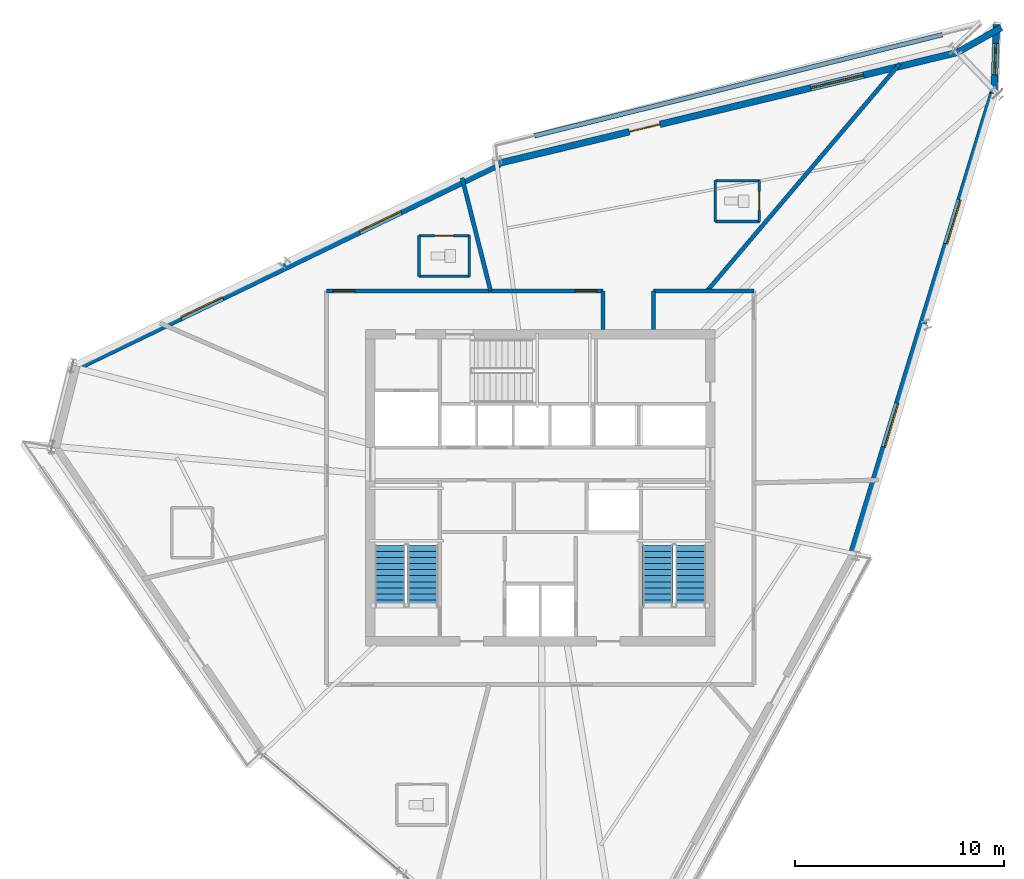
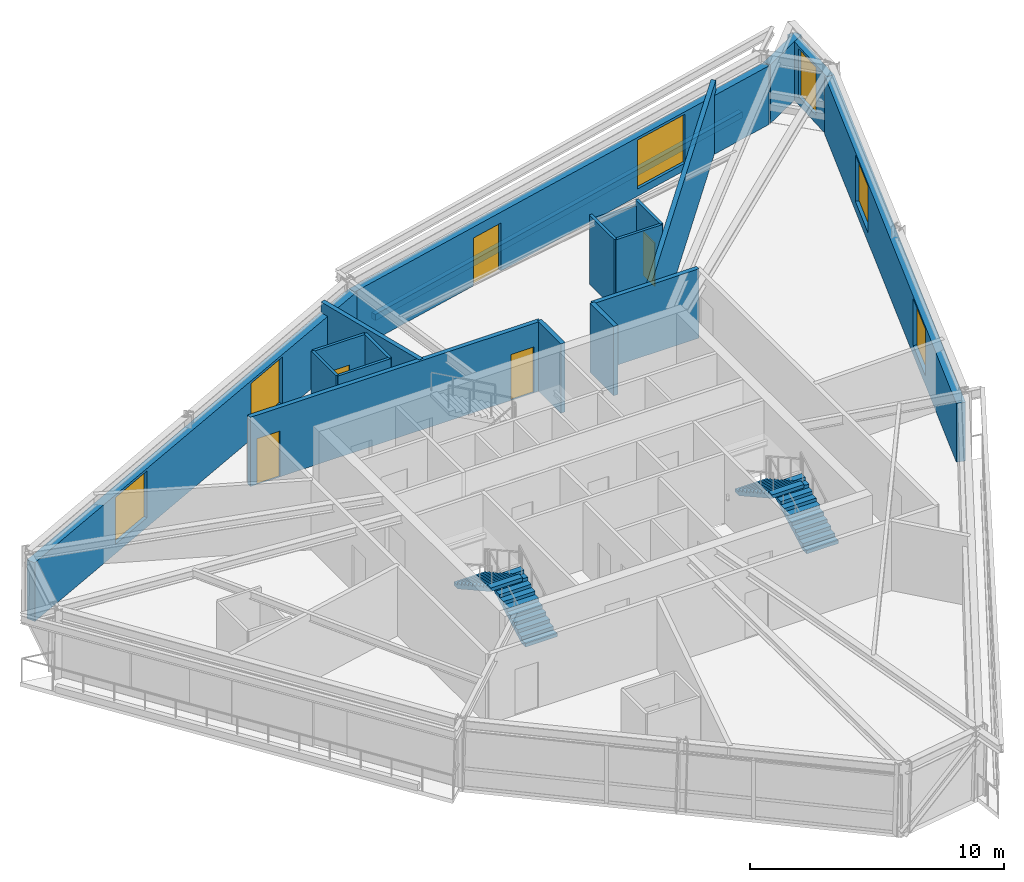
# One storey, part 10 of 15: 20 walls, 6 windows, 5 doors, 4 stair flights, 11 openings, 2 elements without a shape of their own.
"""IFC4 building model written with IfcOpenShell, lengths in metres."""

from ifc_helpers import new_model, si_unit, direction, frame, frame_2d, origin, place, context, subcontext, project, spatial, polyline, rectangle, outline, extrude, source, transform, mapped, material, layer, layer_set, type_object, type_shapes, element, fill, aggregate, save


model = new_model("IFC4")

# Units and contexts
model_context = context("Model", 3, precision=1e-05, world=origin(), true_north=direction((0.0, 1.0)))
body_context = subcontext(model_context, "Body", "Model", "MODEL_VIEW")
ifc_project = project(units=[si_unit("LENGTHUNIT", "METRE"), si_unit("AREAUNIT", "SQUARE_METRE"), si_unit("VOLUMEUNIT", "CUBIC_METRE"), si_unit("PLANEANGLEUNIT", "RADIAN"), si_unit("MASSUNIT", "GRAM", prefix="KILO")], contexts=[model_context])

# Site, building, storey
site_placement = place(None, origin())
site = spatial("IfcSite", under=ifc_project, at=site_placement, CompositionType="ELEMENT")
building_placement = place(site_placement, origin())
building = spatial("IfcBuilding", under=site, at=building_placement, Name="Olszyna Solenne Hotel", CompositionType="ELEMENT")
storey_placement = place(building_placement, frame((0.0, 0.0, 213.14990234375)))
storey = spatial("IfcBuildingStorey", under=building, at=storey_placement, Name="L56", CompositionType="ELEMENT", Elevation=213.14990234375)

# Wall, openings, door, window
ifc_material_1 = material(Name="Precast concrete C45/55", Category="concrete")
ifc_layer_1 = layer(ifc_material_1, 0.320068359375, Name="Precast concrete C45/55")
ifc_layer_set_1 = layer_set([ifc_layer_1], Name="Precast concrete C45/55")
wall_type_1 = type_object("IfcWallType", Name="WL-EX320", PredefinedType="SOLIDWALL", material=ifc_layer_set_1)
wall_1_placement = place(storey_placement, frame((35.980712890625, 42.079345703125, 0.0), z_axis=(0.0, 0.0, 1.0), x_axis=(0.97201999071, 0.234898143159, 0.0)))
wall_1 = element("IfcWall", 1, at=wall_1_placement, inside=storey, type_object=wall_type_1, Name="Exterior terracotta-precast frame wall WL-EX320 EW-L56-07", PredefinedType="SOLIDWALL", context=body_context, shape_type="SweptSolid", body=[
    extrude(rectangle(XDim=22.51123046875, YDim=0.320068359375, at=frame_2d((11.255615234375, 0.0))), origin(), (0.0, 0.0, 1.0), 2.822021484375),
])
opening_1_placement = place(wall_1_placement, frame((6.4541015625, 0.0, 0.0)))
opening_1 = element("IfcOpeningElement", 2, at=opening_1_placement, cuts=wall_1, Name="Opening LDG-L56-1", PredefinedType="OPENING", context=body_context, shape_type="SweptSolid", body=[
    extrude(rectangle(XDim=1.5, YDim=2.300048828125, at=frame_2d((0.75, 1.14990234375))), frame((0.0, 0.169921875, 0.0), z_axis=(0.0, -1.0, 0.0), x_axis=(1.0, 0.0, 0.0)), (0.0, 0.0, 1.0), 0.340087890625),
])
opening_2_placement = place(wall_1_placement, frame((15.35791015625, 0.0, 0.35205078125)))
opening_2 = element("IfcOpeningElement", 3, at=opening_2_placement, cuts=wall_1, Name="Opening WN-L56-361", PredefinedType="OPENING", context=body_context, shape_type="SweptSolid", body=[
    extrude(rectangle(XDim=2.60009765625, YDim=2.35009765625, at=frame_2d((1.300048828125, 1.175048828125))), frame((0.0, 0.169921875, 0.0), z_axis=(0.0, -1.0, 0.0), x_axis=(1.0, 0.0, 0.0)), (0.0, 0.0, 1.0), 0.340087890625),
])
ifc_material_2 = material(Name="Anodised bronze aluminium", Category="aluminium")
door_type_1 = type_object("IfcDoorType", Name="DR-LG2", OperationType="DOUBLE_DOOR_SINGLE_SWING", PredefinedType="DOOR", material=ifc_material_2)
shared_shape_1 = source(origin(), body_context, "Body", "SweptSolid", [
    extrude(rectangle(XDim=1.5, YDim=2.300048828125, at=frame_2d((0.75, 1.14990234375))), frame((0.0, 0.02490234375, 0.0), z_axis=(0.0, -1.0, 0.0), x_axis=(1.0, 0.0, 0.0)), (0.0, 0.0, 1.0), 0.050048828125),
])
type_shapes(door_type_1, [shared_shape_1])
door_1_placement = place(opening_1_placement, origin())
door_1 = element("IfcDoor", 4, at=door_1_placement, inside=storey, type_object=door_type_1, Name="Exterior loggia balcony door DR-LG2 LDG-L56-1", OperationType="DOUBLE_DOOR_SINGLE_SWING", OverallHeight=2.300048828125, OverallWidth=1.5, PredefinedType="DOOR", context=body_context, shape_type="MappedRepresentation", body=[
    mapped(shared_shape_1, transform((0.0, 0.0, 0.0), x_axis=(1.0, 0.0, 0.0), y_axis=(0.0, 1.0, 0.0), z_axis=(0.0, 0.0, 1.0), scale=1.0)),
])
fill(opening_1, door_1)
ifc_material_3 = material(Name="Low-E triple glazing", Category="glass")
window_type_1 = type_object("IfcWindowType", Name="WN-ST1", PartitioningType="SINGLE_PANEL", PredefinedType="WINDOW", material=ifc_material_3)
shared_shape_2 = source(origin(), body_context, "Body", "SweptSolid", [
    extrude(rectangle(XDim=2.60009765625, YDim=2.35009765625, at=frame_2d((1.300048828125, 1.175048828125))), frame((0.0, 0.030029296875, 0.0), z_axis=(0.0, -1.0, 0.0), x_axis=(1.0, 0.0, 0.0)), (0.0, 0.0, 1.0), 0.06005859375),
])
type_shapes(window_type_1, [shared_shape_2])
window_1_placement = place(opening_2_placement, origin())
window_1 = element("IfcWindow", 5, at=window_1_placement, inside=storey, type_object=window_type_1, Name="Loggia room window WN-ST1 WN-L56-361", OverallHeight=2.35009765625, OverallWidth=2.60009765625, PartitioningType="SINGLE_PANEL", PredefinedType="WINDOW", context=body_context, shape_type="MappedRepresentation", body=[
    mapped(shared_shape_2, transform((0.0, 0.0, 0.0), x_axis=(1.0, 0.0, 0.0), y_axis=(0.0, 1.0, 0.0), z_axis=(0.0, 0.0, 1.0), scale=1.0)),
])
fill(opening_2, window_1)

# Wall
wall_2_placement = place(storey_placement, frame((57.90283203125, 47.383056640625, 0.0), z_axis=(0.0, 0.0, 1.0), x_axis=(0.871995106702, 0.489514590066, 0.0)))
element("IfcWall", 6, at=wall_2_placement, inside=storey, type_object=wall_type_1, Name="Exterior terracotta-precast frame wall WL-EX320 EW-L56-08", PredefinedType="SOLIDWALL", context=body_context, shape_type="SweptSolid", body=[
    extrude(rectangle(XDim=2.42236328125, YDim=0.320068359375, at=frame_2d((1.211181640625, 0.0))), origin(), (0.0, 0.0, 1.0), 2.822021484375),
])

# Wall, opening, window
wall_3_placement = place(storey_placement, frame((59.777099609375, 48.714111328125, 0.0), z_axis=(0.0, 0.0, 1.0), x_axis=(-0.035190499803, -0.999380622548, 0.0)))
wall_3 = element("IfcWall", 7, at=wall_3_placement, inside=storey, type_object=wall_type_1, Name="Exterior terracotta-precast frame wall WL-EX320 EW-L56-09", PredefinedType="SOLIDWALL", context=body_context, shape_type="SweptSolid", body=[
    extrude(rectangle(XDim=3.30224609375, YDim=0.320068359375, at=frame_2d((1.651123046875, 0.0))), origin(), (0.0, 0.0, 1.0), 2.822021484375),
])
opening_3_placement = place(wall_3_placement, frame((0.90087890625, 0.0, 0.402099609375)))
opening_3 = element("IfcOpeningElement", 8, at=opening_3_placement, cuts=wall_3, Name="Opening WN-L56-362", PredefinedType="OPENING", context=body_context, shape_type="SweptSolid", body=[
    extrude(rectangle(XDim=1.5, YDim=2.300048828125, at=frame_2d((0.75, 1.14990234375))), frame((0.0, 0.169921875, 0.0), z_axis=(0.0, -1.0, 0.0), x_axis=(1.0, 0.0, 0.0)), (0.0, 0.0, 1.0), 0.340087890625),
])
window_type_2 = type_object("IfcWindowType", Name="WN-CH1", PartitioningType="SINGLE_PANEL", PredefinedType="WINDOW", material=ifc_material_3)
shared_shape_3 = source(origin(), body_context, "Body", "SweptSolid", [
    extrude(rectangle(XDim=1.5, YDim=2.300048828125, at=frame_2d((0.75, 1.14990234375))), frame((0.0, 0.030029296875, 0.0), z_axis=(0.0, -1.0, 0.0), x_axis=(1.0, 0.0, 0.0)), (0.0, 0.0, 1.0), 0.06005859375),
])
type_shapes(window_type_2, [shared_shape_3])
window_2_placement = place(opening_3_placement, origin())
window_2 = element("IfcWindow", 9, at=window_2_placement, inside=storey, type_object=window_type_2, Name="Exterior facade window WN-CH1 WN-L56-362", OverallHeight=2.300048828125, OverallWidth=1.5, PartitioningType="SINGLE_PANEL", PredefinedType="WINDOW", context=body_context, shape_type="MappedRepresentation", body=[
    mapped(shared_shape_3, transform((0.0, 0.0, 0.0), x_axis=(1.0, 0.0, 0.0), y_axis=(0.0, 1.0, 0.0), z_axis=(0.0, 0.0, 1.0), scale=1.0)),
])
fill(opening_3, window_2)

# Wall, openings, windows
ifc_material_4 = material(Name="Terracotta cladding on precast concrete C45/55", Category="masonry")
ifc_layer_2 = layer(ifc_material_4, 0.3798828125, Name="Terracotta cladding on precast concrete C45/55")
ifc_layer_set_2 = layer_set([ifc_layer_2], Name="Terracotta cladding on precast concrete C45/55")
wall_type_2 = type_object("IfcWallType", Name="WL-EX380", PredefinedType="SOLIDWALL", material=ifc_layer_set_2)
wall_4_placement = place(storey_placement, frame((15.7451171875, 32.293701171875, 0.0), z_axis=(0.0, 0.0, 1.0), x_axis=(0.900909174289, 0.434007672377, 0.0)))
wall_4 = element("IfcWall", 10, at=wall_4_placement, inside=storey, type_object=wall_type_2, Name="Exterior terracotta-precast frame wall WL-EX380 EW-L56-06", PredefinedType="SOLIDWALL", context=body_context, shape_type="SweptSolid", body=[
    extrude(rectangle(XDim=22.51123046875, YDim=0.3798828125, at=frame_2d((11.255615234375, 0.0))), origin(), (0.0, 0.0, 1.0), 2.822021484375),
])
opening_4_placement = place(wall_4_placement, frame((5.653076171875, 0.0, 0.451904296875)))
opening_4 = element("IfcOpeningElement", 11, at=opening_4_placement, cuts=wall_4, Name="Opening WN-L56-359", PredefinedType="OPENING", context=body_context, shape_type="SweptSolid", body=[
    extrude(rectangle(XDim=2.199951171875, YDim=2.25, at=frame_2d((1.10009765625, 1.125))), frame((0.0, 0.199951171875, 0.0), z_axis=(0.0, -1.0, 0.0), x_axis=(1.0, 0.0, 0.0)), (0.0, 0.0, 1.0), 0.39990234375),
])
opening_5_placement = place(wall_4_placement, frame((15.10791015625, 0.0, 0.451904296875)))
opening_5 = element("IfcOpeningElement", 12, at=opening_5_placement, cuts=wall_4, Name="Opening WN-L56-360", PredefinedType="OPENING", context=body_context, shape_type="SweptSolid", body=[
    extrude(rectangle(XDim=2.199951171875, YDim=2.25, at=frame_2d((1.10009765625, 1.125))), frame((0.0, 0.199951171875, 0.0), z_axis=(0.0, -1.0, 0.0), x_axis=(1.0, 0.0, 0.0)), (0.0, 0.0, 1.0), 0.39990234375),
])
window_type_3 = type_object("IfcWindowType", Name="WN-HT2", PartitioningType="SINGLE_PANEL", PredefinedType="WINDOW", material=ifc_material_3)
shared_shape_4 = source(origin(), body_context, "Body", "SweptSolid", [
    extrude(rectangle(XDim=2.199951171875, YDim=2.25, at=frame_2d((1.10009765625, 1.125))), frame((0.0, 0.030029296875, 0.0), z_axis=(0.0, -1.0, 0.0), x_axis=(1.0, 0.0, 0.0)), (0.0, 0.0, 1.0), 0.06005859375),
])
type_shapes(window_type_3, [shared_shape_4])
window_3_placement = place(opening_4_placement, origin())
window_3 = element("IfcWindow", 13, at=window_3_placement, inside=storey, type_object=window_type_3, Name="Exterior facade window WN-HT2 WN-L56-359", OverallHeight=2.25, OverallWidth=2.199951171875, PartitioningType="SINGLE_PANEL", PredefinedType="WINDOW", context=body_context, shape_type="MappedRepresentation", body=[
    mapped(shared_shape_4, transform((0.0, 0.0, 0.0), x_axis=(1.0, 0.0, 0.0), y_axis=(0.0, 1.0, 0.0), z_axis=(0.0, 0.0, 1.0), scale=1.0)),
])
fill(opening_4, window_3)
window_4_placement = place(opening_5_placement, origin())
window_4 = element("IfcWindow", 14, at=window_4_placement, inside=storey, type_object=window_type_3, Name="Exterior facade window WN-HT2 WN-L56-360", OverallHeight=2.25, OverallWidth=2.199951171875, PartitioningType="SINGLE_PANEL", PredefinedType="WINDOW", context=body_context, shape_type="MappedRepresentation", body=[
    mapped(shared_shape_4, transform((0.0, 0.0, 0.0), x_axis=(1.0, 0.0, 0.0), y_axis=(0.0, 1.0, 0.0), z_axis=(0.0, 0.0, 1.0), scale=1.0)),
])
fill(opening_5, window_4)

wall_5_placement = place(storey_placement, frame((59.638916015625, 45.4638671875, 0.0), z_axis=(0.0, 0.0, 1.0), x_axis=(-0.292879532816, -0.95614934987, 0.0)))
wall_5 = element("IfcWall", 15, at=wall_5_placement, inside=storey, type_object=wall_type_2, Name="Exterior terracotta-precast frame wall WL-EX380 EW-L56-10", PredefinedType="SOLIDWALL", context=body_context, shape_type="SweptSolid", body=[
    extrude(rectangle(XDim=23.072021484375, YDim=0.3798828125, at=frame_2d((11.5361328125, 0.0))), origin(), (0.0, 0.0, 1.0), 2.822021484375),
])
opening_6_placement = place(wall_5_placement, frame((5.360107421875, 0.0, 0.451904296875)))
opening_6 = element("IfcOpeningElement", 16, at=opening_6_placement, cuts=wall_5, Name="Opening WN-L56-363", PredefinedType="OPENING", context=body_context, shape_type="SweptSolid", body=[
    extrude(rectangle(XDim=2.199951171875, YDim=2.25, at=frame_2d((1.10009765625, 1.125))), frame((0.0, 0.199951171875, 0.0), z_axis=(0.0, -1.0, 0.0), x_axis=(1.0, 0.0, 0.0)), (0.0, 0.0, 1.0), 0.39990234375),
])
opening_7_placement = place(wall_5_placement, frame((15.511962890625, 0.0, 0.451904296875)))
opening_7 = element("IfcOpeningElement", 17, at=opening_7_placement, cuts=wall_5, Name="Opening WN-L56-364", PredefinedType="OPENING", context=body_context, shape_type="SweptSolid", body=[
    extrude(rectangle(XDim=2.199951171875, YDim=2.25, at=frame_2d((1.10009765625, 1.125))), frame((0.0, 0.199951171875, 0.0), z_axis=(0.0, -1.0, 0.0), x_axis=(1.0, 0.0, 0.0)), (0.0, 0.0, 1.0), 0.39990234375),
])
window_5_placement = place(opening_6_placement, origin())
window_5 = element("IfcWindow", 18, at=window_5_placement, inside=storey, type_object=window_type_3, Name="Exterior facade window WN-HT2 WN-L56-363", OverallHeight=2.25, OverallWidth=2.199951171875, PartitioningType="SINGLE_PANEL", PredefinedType="WINDOW", context=body_context, shape_type="MappedRepresentation", body=[
    mapped(shared_shape_4, transform((0.0, 0.0, 0.0), x_axis=(1.0, 0.0, 0.0), y_axis=(0.0, 1.0, 0.0), z_axis=(0.0, 0.0, 1.0), scale=1.0)),
])
fill(opening_6, window_5)
window_6_placement = place(opening_7_placement, origin())
window_6 = element("IfcWindow", 19, at=window_6_placement, inside=storey, type_object=window_type_3, Name="Exterior facade window WN-HT2 WN-L56-364", OverallHeight=2.25, OverallWidth=2.199951171875, PartitioningType="SINGLE_PANEL", PredefinedType="WINDOW", context=body_context, shape_type="MappedRepresentation", body=[
    mapped(shared_shape_4, transform((0.0, 0.0, 0.0), x_axis=(1.0, 0.0, 0.0), y_axis=(0.0, 1.0, 0.0), z_axis=(0.0, 0.0, 1.0), scale=1.0)),
])
fill(opening_7, window_6)

# Wall
ifc_layer_3 = layer(ifc_material_1, 0.219970703125, Name="Precast concrete C45/55")
ifc_layer_set_3 = layer_set([ifc_layer_3], Name="Precast concrete C45/55")
wall_type_3 = type_object("IfcWallType", Name="WL-PR220", PredefinedType="PARAPET", material=ifc_layer_set_3)
wall_6_placement = place(storey_placement, frame((57.195556640625, 48.22998046875, 0.0), z_axis=(0.0, 0.0, 1.0), x_axis=(-0.970576322009, -0.240793694177, 0.0)))
element("IfcWall", 20, at=wall_6_placement, inside=storey, type_object=wall_type_3, Name="Loggia balcony precast kerb PR-L56-LG1", PredefinedType="PARAPET", context=body_context, shape_type="SweptSolid", body=[
    extrude(rectangle(XDim=20.054931640625, YDim=0.219970703125, at=frame_2d((10.02734375, 0.0))), origin(), (0.0, 0.0, 1.0), 0.300048828125),
])

# Wall, opening, door
ifc_material_5 = material(Name="Acoustic gypsum partition", Category="gypsum")
ifc_layer_4 = layer(ifc_material_5, 0.125, Name="Acoustic gypsum partition")
ifc_layer_set_4 = layer_set([ifc_layer_4], Name="Acoustic gypsum partition")
wall_type_4 = type_object("IfcWallType", Name="WL-PT125", PredefinedType="PARTITIONING", material=ifc_layer_set_4)
wall_7_placement = place(storey_placement, frame((48.4619140625, 39.31201171875, 0.0), z_axis=(0.0, 0.0, 1.0), x_axis=(0.0, 1.0, 0.0)))
wall_7 = element("IfcWall", 21, at=wall_7_placement, inside=storey, type_object=wall_type_4, Name="Interior acoustic partition WL-PT125 PW-L56-3125", PredefinedType="PARTITIONING", context=body_context, shape_type="SweptSolid", body=[
    extrude(rectangle(XDim=1.949951171875, YDim=0.125, at=frame_2d((0.97509765625, 0.0))), origin(), (0.0, 0.0, 1.0), 3.330078125),
])
opening_8_placement = place(wall_7_placement, frame((0.52490234375, 0.0, 0.0)))
opening_8 = element("IfcOpeningElement", 22, at=opening_8_placement, cuts=wall_7, Name="Opening DR-L56-0757", PredefinedType="OPENING", context=body_context, shape_type="SweptSolid", body=[
    extrude(rectangle(XDim=0.89990234375, YDim=2.10009765625, at=frame_2d((0.449951171875, 1.050048828125))), frame((0.0, 0.072509765625, 0.0), z_axis=(0.0, -1.0, 0.0), x_axis=(1.0, 0.0, 0.0)), (0.0, 0.0, 1.0), 0.14501953125),
])
ifc_material_6 = material(Name="Timber hardwood", Category="wood")
door_type_2 = type_object("IfcDoorType", Name="DR-WC1", OperationType="NOTDEFINED", PredefinedType="DOOR", material=ifc_material_6)
shared_shape_5 = source(origin(), body_context, "Body", "SweptSolid", [
    extrude(rectangle(XDim=0.89990234375, YDim=2.10009765625, at=frame_2d((0.449951171875, 1.050048828125))), frame((0.0, 0.02490234375, 0.0), z_axis=(0.0, -1.0, 0.0), x_axis=(1.0, 0.0, 0.0)), (0.0, 0.0, 1.0), 0.050048828125),
])
type_shapes(door_type_2, [shared_shape_5])
door_2_placement = place(opening_8_placement, origin())
door_2 = element("IfcDoor", 23, at=door_2_placement, inside=storey, type_object=door_type_2, Name="En-Suite Bathroom Door DR-L56-0757", OperationType="SINGLE_SWING_LEFT", OverallHeight=2.10009765625, OverallWidth=0.89990234375, PredefinedType="DOOR", context=body_context, shape_type="MappedRepresentation", body=[
    mapped(shared_shape_5, transform((0.0, 0.0, 0.0), x_axis=(1.0, 0.0, 0.0), y_axis=(0.0, 1.0, 0.0), z_axis=(0.0, 0.0, 1.0), scale=1.0)),
])
fill(opening_8, door_2)

# Walls
wall_8_placement = place(storey_placement, frame((48.4619140625, 41.261962890625, 0.0), z_axis=(0.0, 0.0, 1.0), x_axis=(-1.0, 0.0, 0.0)))
element("IfcWall", 24, at=wall_8_placement, inside=storey, type_object=wall_type_4, Name="Interior acoustic partition WL-PT125 PW-L56-3126", PredefinedType="PARTITIONING", context=body_context, shape_type="SweptSolid", body=[
    extrude(rectangle(XDim=2.099853515625, YDim=0.125, at=frame_2d((1.0498046875, 0.0))), origin(), (0.0, 0.0, 1.0), 3.0751953125),
])
wall_9_placement = place(storey_placement, frame((46.362060546875, 41.261962890625, 0.0), z_axis=(0.0, 0.0, 1.0), x_axis=(0.0, -1.0, 0.0)))
element("IfcWall", 25, at=wall_9_placement, inside=storey, type_object=wall_type_4, Name="Interior acoustic partition WL-PT125 PW-L56-3127", PredefinedType="PARTITIONING", context=body_context, shape_type="SweptSolid", body=[
    extrude(rectangle(XDim=1.949951171875, YDim=0.125, at=frame_2d((0.97509765625, 0.0))), origin(), (0.0, 0.0, 1.0), 3.330078125),
])
wall_10_placement = place(storey_placement, frame((46.362060546875, 39.31201171875, 0.0), z_axis=(0.0, 0.0, 1.0), x_axis=(1.0, 0.0, 0.0)))
element("IfcWall", 26, at=wall_10_placement, inside=storey, type_object=wall_type_4, Name="Interior acoustic partition WL-PT125 PW-L56-3128", PredefinedType="PARTITIONING", context=body_context, shape_type="SweptSolid", body=[
    extrude(rectangle(XDim=2.099853515625, YDim=0.125, at=frame_2d((1.0498046875, 0.0))), origin(), (0.0, 0.0, 1.0), 3.330078125),
])
wall_11_placement = place(storey_placement, frame((34.611083984375, 36.68896484375, 0.0), z_axis=(0.0, 0.0, 1.0), x_axis=(0.0, 1.0, 0.0)))
element("IfcWall", 27, at=wall_11_placement, inside=storey, type_object=wall_type_4, Name="Interior acoustic partition WL-PT125 PW-L56-3129", PredefinedType="PARTITIONING", context=body_context, shape_type="SweptSolid", body=[
    extrude(rectangle(XDim=1.949951171875, YDim=0.125, at=frame_2d((0.97509765625, 0.0))), origin(), (0.0, 0.0, 1.0), 3.330078125),
])

# Wall, opening, door
wall_12_placement = place(storey_placement, frame((34.611083984375, 38.638916015625, 0.0), z_axis=(0.0, 0.0, 1.0), x_axis=(-1.0, 0.0, 0.0)))
wall_12 = element("IfcWall", 28, at=wall_12_placement, inside=storey, type_object=wall_type_4, Name="Interior acoustic partition WL-PT125 PW-L56-3130", PredefinedType="PARTITIONING", context=body_context, shape_type="SweptSolid", body=[
    extrude(rectangle(XDim=2.400146484375, YDim=0.125, at=frame_2d((1.2001953125, 0.0))), origin(), (0.0, 0.0, 1.0), 3.330078125),
])
opening_9_placement = place(wall_12_placement, frame((0.75, 0.0, 0.0)))
opening_9 = element("IfcOpeningElement", 29, at=opening_9_placement, cuts=wall_12, Name="Opening DR-L56-0758", PredefinedType="OPENING", context=body_context, shape_type="SweptSolid", body=[
    extrude(rectangle(XDim=0.89990234375, YDim=2.10009765625, at=frame_2d((0.449951171875, 1.050048828125))), frame((0.0, 0.072509765625, 0.0), z_axis=(0.0, -1.0, 0.0), x_axis=(1.0, 0.0, 0.0)), (0.0, 0.0, 1.0), 0.14501953125),
])
door_3_placement = place(opening_9_placement, origin())
door_3 = element("IfcDoor", 30, at=door_3_placement, inside=storey, type_object=door_type_2, Name="En-Suite Bathroom Door DR-L56-0758", OperationType="SINGLE_SWING_RIGHT", OverallHeight=2.10009765625, OverallWidth=0.89990234375, PredefinedType="DOOR", context=body_context, shape_type="MappedRepresentation", body=[
    mapped(shared_shape_5, transform((0.0, 0.0, 0.0), x_axis=(1.0, 0.0, 0.0), y_axis=(0.0, 1.0, 0.0), z_axis=(0.0, 0.0, 1.0), scale=1.0)),
])
fill(opening_9, door_3)

# Walls
wall_13_placement = place(storey_placement, frame((32.2109375, 38.638916015625, 0.0), z_axis=(0.0, 0.0, 1.0), x_axis=(0.0, -1.0, 0.0)))
element("IfcWall", 31, at=wall_13_placement, inside=storey, type_object=wall_type_4, Name="Interior acoustic partition WL-PT125 PW-L56-3131", PredefinedType="PARTITIONING", context=body_context, shape_type="SweptSolid", body=[
    extrude(rectangle(XDim=1.949951171875, YDim=0.125, at=frame_2d((0.97509765625, 0.0))), origin(), (0.0, 0.0, 1.0), 3.330078125),
])
wall_14_placement = place(storey_placement, frame((32.2109375, 36.68896484375, 0.0), z_axis=(0.0, 0.0, 1.0), x_axis=(1.0, 0.0, 0.0)))
element("IfcWall", 32, at=wall_14_placement, inside=storey, type_object=wall_type_4, Name="Interior acoustic partition WL-PT125 PW-L56-3132", PredefinedType="PARTITIONING", context=body_context, shape_type="SweptSolid", body=[
    extrude(rectangle(XDim=2.400146484375, YDim=0.125, at=frame_2d((1.2001953125, 0.0))), origin(), (0.0, 0.0, 1.0), 3.330078125),
])
ifc_layer_5 = layer(ifc_material_5, 0.199951171875, Name="Acoustic gypsum partition")
ifc_layer_set_5 = layer_set([ifc_layer_5], Name="Acoustic gypsum partition")
wall_type_5 = type_object("IfcWallType", Name="WL-PT200", PredefinedType="PARTITIONING", material=ifc_layer_set_5)
wall_15_placement = place(storey_placement, frame((45.969970703125, 36.0, 0.0), z_axis=(0.0, 0.0, 1.0), x_axis=(0.64669436859, 0.762749233781, 0.0)))
element("IfcWall", 33, at=wall_15_placement, inside=storey, type_object=wall_type_5, Name="Interior acoustic partition WL-PT200 PW-L56-3118", PredefinedType="PARTITIONING", context=body_context, shape_type="SweptSolid", body=[
    extrude(rectangle(XDim=14.22509765625, YDim=0.199951171875, at=frame_2d((7.112548828125, 0.0))), origin(), (0.0, 0.0, 1.0), 3.330078125),
])
wall_16_placement = place(storey_placement, frame((35.62841796875, 36.0, 0.0), z_axis=(0.0, 0.0, 1.0), x_axis=(-0.244651792325, 0.96961100474, 0.0)))
element("IfcWall", 34, at=wall_16_placement, inside=storey, type_object=wall_type_5, Name="Interior acoustic partition WL-PT200 PW-L56-3119", PredefinedType="PARTITIONING", context=body_context, shape_type="SweptSolid", body=[
    extrude(rectangle(XDim=5.563232421875, YDim=0.199951171875, at=frame_2d((2.78173828125, 0.0))), origin(), (0.0, 0.0, 1.0), 3.330078125),
])

# Wall, openings, doors
wall_17_placement = place(storey_placement, frame((27.800048828125, 36.0, 0.0), z_axis=(0.0, 0.0, 1.0), x_axis=(1.0, 0.0, 0.0)))
wall_17 = element("IfcWall", 35, at=wall_17_placement, inside=storey, type_object=wall_type_5, Name="Interior acoustic partition WL-PT200 PW-L56-3139", PredefinedType="PARTITIONING", context=body_context, shape_type="SweptSolid", body=[
    extrude(rectangle(XDim=13.199951171875, YDim=0.199951171875, at=frame_2d((6.60009765625, 0.0))), origin(), (0.0, 0.0, 1.0), 3.330078125),
])
opening_10_placement = place(wall_17_placement, frame((11.85009765625, 0.0, 0.0)))
opening_10 = element("IfcOpeningElement", 36, at=opening_10_placement, cuts=wall_17, Name="Opening DR-L56-0763", PredefinedType="OPENING", context=body_context, shape_type="SweptSolid", body=[
    extrude(rectangle(XDim=1.050048828125, YDim=2.199951171875, at=frame_2d((0.52490234375, 1.10009765625))), frame((0.0, 0.10986328125, 0.0), z_axis=(0.0, -1.0, 0.0), x_axis=(1.0, 0.0, 0.0)), (0.0, 0.0, 1.0), 0.219970703125),
])
opening_11_placement = place(wall_17_placement, frame((0.300048828125, 0.0, 0.0)))
opening_11 = element("IfcOpeningElement", 37, at=opening_11_placement, cuts=wall_17, Name="Opening DR-L56-0764", PredefinedType="OPENING", context=body_context, shape_type="SweptSolid", body=[
    extrude(rectangle(XDim=1.050048828125, YDim=2.199951171875, at=frame_2d((0.52490234375, 1.10009765625))), frame((0.0, 0.10986328125, 0.0), z_axis=(0.0, -1.0, 0.0), x_axis=(1.0, 0.0, 0.0)), (0.0, 0.0, 1.0), 0.219970703125),
])
door_type_3 = type_object("IfcDoorType", Name="DR-RM2", OperationType="NOTDEFINED", PredefinedType="DOOR", material=ifc_material_6)
shared_shape_6 = source(origin(), body_context, "Body", "SweptSolid", [
    extrude(rectangle(XDim=1.050048828125, YDim=2.199951171875, at=frame_2d((0.52490234375, 1.10009765625))), frame((0.0, 0.02490234375, 0.0), z_axis=(0.0, -1.0, 0.0), x_axis=(1.0, 0.0, 0.0)), (0.0, 0.0, 1.0), 0.050048828125),
])
type_shapes(door_type_3, [shared_shape_6])
door_4_placement = place(opening_10_placement, origin())
door_4 = element("IfcDoor", 38, at=door_4_placement, inside=storey, type_object=door_type_3, Name="Deluxe Hotel Guestroom Entrance Door DR-L56-0763", OperationType="SINGLE_SWING_LEFT", OverallHeight=2.199951171875, OverallWidth=1.050048828125, PredefinedType="DOOR", context=body_context, shape_type="MappedRepresentation", body=[
    mapped(shared_shape_6, transform((0.0, 0.0, 0.0), x_axis=(1.0, 0.0, 0.0), y_axis=(0.0, 1.0, 0.0), z_axis=(0.0, 0.0, 1.0), scale=1.0)),
])
fill(opening_10, door_4)
door_5_placement = place(opening_11_placement, origin())
door_5 = element("IfcDoor", 39, at=door_5_placement, inside=storey, type_object=door_type_3, Name="Deluxe Hotel Guestroom Entrance Door DR-L56-0764", OperationType="SINGLE_SWING_RIGHT", OverallHeight=2.199951171875, OverallWidth=1.050048828125, PredefinedType="DOOR", context=body_context, shape_type="MappedRepresentation", body=[
    mapped(shared_shape_6, transform((0.0, 0.0, 0.0), x_axis=(1.0, 0.0, 0.0), y_axis=(0.0, 1.0, 0.0), z_axis=(0.0, 0.0, 1.0), scale=1.0)),
])
fill(opening_11, door_5)

# Walls
wall_18_placement = place(storey_placement, frame((41.0, 34.14990234375, 0.0), z_axis=(0.0, 0.0, 1.0), x_axis=(0.0, 1.0, 0.0)))
element("IfcWall", 40, at=wall_18_placement, inside=storey, type_object=wall_type_5, Name="Interior acoustic partition WL-PT200 PW-L56-3140", PredefinedType="PARTITIONING", context=body_context, shape_type="SweptSolid", body=[
    extrude(rectangle(XDim=1.85009765625, YDim=0.199951171875, at=frame_2d((0.925048828125, 0.0))), origin(), (0.0, 0.0, 1.0), 3.330078125),
])
wall_19_placement = place(storey_placement, frame((43.39990234375, 36.0, 0.0), z_axis=(0.0, 0.0, 1.0), x_axis=(1.0, 0.0, 0.0)))
element("IfcWall", 41, at=wall_19_placement, inside=storey, type_object=wall_type_5, Name="Interior acoustic partition WL-PT200 PW-L56-3141", PredefinedType="PARTITIONING", context=body_context, shape_type="SweptSolid", body=[
    extrude(rectangle(XDim=4.800048828125, YDim=0.199951171875, at=frame_2d((2.39990234375, 0.0))), origin(), (0.0, 0.0, 1.0), 3.330078125),
])
wall_20_placement = place(storey_placement, frame((43.39990234375, 34.14990234375, 0.0), z_axis=(0.0, 0.0, 1.0), x_axis=(0.0, 1.0, 0.0)))
element("IfcWall", 42, at=wall_20_placement, inside=storey, type_object=wall_type_5, Name="Interior acoustic partition WL-PT200 PW-L56-3142", PredefinedType="PARTITIONING", context=body_context, shape_type="SweptSolid", body=[
    extrude(rectangle(XDim=1.85009765625, YDim=0.199951171875, at=frame_2d((0.925048828125, 0.0))), origin(), (0.0, 0.0, 1.0), 3.330078125),
])

# Stair, stair flights
ifc_material_7 = material(Name="Concrete C40/50", Category="concrete")
stair_type = type_object("IfcStairType", Name="STR-C1", PredefinedType="TWO_QUARTER_WINDING_STAIR", material=ifc_material_7)
stair_1_placement = place(storey_placement, origin())
stair_1 = element("IfcStair", 43, at=stair_1_placement, inside=storey, type_object=stair_type, Name="L56 ST1", PredefinedType="TWO_QUARTER_WINDING_STAIR")
stair_flight_type = type_object("IfcStairFlightType", Name="FLT-C1", PredefinedType="STRAIGHT", material=ifc_material_7)
stair_flight_1_placement = place(storey_placement, frame((32.39501953125, 20.949951171875, 0.0), z_axis=(0.0, 0.0, 1.0), x_axis=(0.0, 1.0, 0.0)))
stair_flight_1 = element("IfcStairFlight", 44, at=stair_flight_1_placement, type_object=stair_flight_type, Name="ST1 flight 1", NumberOfRisers=11, NumberOfTreads=10, PredefinedType="STRAIGHT", RiserHeight=0.161363636, TreadLength=0.29, context=body_context, shape_type="SweptSolid", body=[
    extrude(outline(polyline([(0.0, 0.0), (0.0, 0.161376953125), (0.2900390625, 0.161376953125), (0.2900390625, 0.32275390625), (0.580078125, 0.32275390625), (0.580078125, 0.484130859375), (0.8701171875, 0.484130859375), (0.8701171875, 0.6455078125), (1.159912109375, 0.6455078125), (1.159912109375, 0.806884765625), (1.449951171875, 0.806884765625), (1.449951171875, 0.96826171875), (1.739990234375, 0.96826171875), (1.739990234375, 1.129638671875), (2.030029296875, 1.129638671875), (2.030029296875, 1.291015625), (2.320068359375, 1.291015625), (2.320068359375, 1.452392578125), (2.610107421875, 1.452392578125), (2.610107421875, 1.613525390625), (2.89990234375, 1.613525390625), (2.89990234375, 1.77490234375), (2.89990234375, 1.442138671875), (0.308349609375, 0.0), (0.0, 0.0)])), frame((0.0, 0.72509765625, 0.0), z_axis=(0.0, -1.0, 0.0), x_axis=(1.0, 0.0, 0.0)), (0.0, 0.0, 1.0), 1.449951171875),
])
stair_flight_2_placement = place(storey_placement, frame((30.824951171875, 23.85009765625, 1.775146484375), z_axis=(0.0, 0.0, 1.0), x_axis=(0.0, -1.0, 0.0)))
stair_flight_2 = element("IfcStairFlight", 45, at=stair_flight_2_placement, type_object=stair_flight_type, Name="ST1 flight 2", NumberOfRisers=11, NumberOfTreads=10, PredefinedType="STRAIGHT", RiserHeight=0.161363636, TreadLength=0.29, context=body_context, shape_type="SweptSolid", body=[
    extrude(outline(polyline([(0.0, 0.0), (0.0, 0.161376953125), (0.2900390625, 0.161376953125), (0.2900390625, 0.32275390625), (0.580078125, 0.32275390625), (0.580078125, 0.484130859375), (0.8701171875, 0.484130859375), (0.8701171875, 0.6455078125), (1.159912109375, 0.6455078125), (1.159912109375, 0.806884765625), (1.449951171875, 0.806884765625), (1.449951171875, 0.96826171875), (1.739990234375, 0.96826171875), (1.739990234375, 1.129638671875), (2.030029296875, 1.129638671875), (2.030029296875, 1.291015625), (2.320068359375, 1.291015625), (2.320068359375, 1.452392578125), (2.610107421875, 1.452392578125), (2.610107421875, 1.613525390625), (2.89990234375, 1.613525390625), (2.89990234375, 1.77490234375), (2.89990234375, 1.442138671875), (0.308349609375, 0.0), (0.0, 0.0)])), frame((0.0, 0.72509765625, 0.0), z_axis=(0.0, -1.0, 0.0), x_axis=(1.0, 0.0, 0.0)), (0.0, 0.0, 1.0), 1.449951171875),
])
aggregate(stair_1, [stair_flight_1, stair_flight_2])

stair_2_placement = place(storey_placement, origin())
stair_2 = element("IfcStair", 46, at=stair_2_placement, inside=storey, type_object=stair_type, Name="L56 ST2", PredefinedType="TWO_QUARTER_WINDING_STAIR")
stair_flight_3_placement = place(storey_placement, frame((45.175048828125, 20.949951171875, 0.0), z_axis=(0.0, 0.0, 1.0), x_axis=(0.0, 1.0, 0.0)))
stair_flight_3 = element("IfcStairFlight", 47, at=stair_flight_3_placement, type_object=stair_flight_type, Name="ST2 flight 1", NumberOfRisers=11, NumberOfTreads=10, PredefinedType="STRAIGHT", RiserHeight=0.161363636, TreadLength=0.29, context=body_context, shape_type="SweptSolid", body=[
    extrude(outline(polyline([(0.0, 0.0), (0.0, 0.161376953125), (0.2900390625, 0.161376953125), (0.2900390625, 0.32275390625), (0.580078125, 0.32275390625), (0.580078125, 0.484130859375), (0.8701171875, 0.484130859375), (0.8701171875, 0.6455078125), (1.159912109375, 0.6455078125), (1.159912109375, 0.806884765625), (1.449951171875, 0.806884765625), (1.449951171875, 0.96826171875), (1.739990234375, 0.96826171875), (1.739990234375, 1.129638671875), (2.030029296875, 1.129638671875), (2.030029296875, 1.291015625), (2.320068359375, 1.291015625), (2.320068359375, 1.452392578125), (2.610107421875, 1.452392578125), (2.610107421875, 1.613525390625), (2.89990234375, 1.613525390625), (2.89990234375, 1.77490234375), (2.89990234375, 1.442138671875), (0.308349609375, 0.0), (0.0, 0.0)])), frame((0.0, 0.72509765625, 0.0), z_axis=(0.0, -1.0, 0.0), x_axis=(1.0, 0.0, 0.0)), (0.0, 0.0, 1.0), 1.449951171875),
])
stair_flight_4_placement = place(storey_placement, frame((43.60498046875, 23.85009765625, 1.775146484375), z_axis=(0.0, 0.0, 1.0), x_axis=(0.0, -1.0, 0.0)))
stair_flight_4 = element("IfcStairFlight", 48, at=stair_flight_4_placement, type_object=stair_flight_type, Name="ST2 flight 2", NumberOfRisers=11, NumberOfTreads=10, PredefinedType="STRAIGHT", RiserHeight=0.161363636, TreadLength=0.29, context=body_context, shape_type="SweptSolid", body=[
    extrude(outline(polyline([(0.0, 0.0), (0.0, 0.161376953125), (0.2900390625, 0.161376953125), (0.2900390625, 0.32275390625), (0.580078125, 0.32275390625), (0.580078125, 0.484130859375), (0.8701171875, 0.484130859375), (0.8701171875, 0.6455078125), (1.159912109375, 0.6455078125), (1.159912109375, 0.806884765625), (1.449951171875, 0.806884765625), (1.449951171875, 0.96826171875), (1.739990234375, 0.96826171875), (1.739990234375, 1.129638671875), (2.030029296875, 1.129638671875), (2.030029296875, 1.291015625), (2.320068359375, 1.291015625), (2.320068359375, 1.452392578125), (2.610107421875, 1.452392578125), (2.610107421875, 1.613525390625), (2.89990234375, 1.613525390625), (2.89990234375, 1.77490234375), (2.89990234375, 1.442138671875), (0.308349609375, 0.0), (0.0, 0.0)])), frame((0.0, 0.72509765625, 0.0), z_axis=(0.0, -1.0, 0.0), x_axis=(1.0, 0.0, 0.0)), (0.0, 0.0, 1.0), 1.449951171875),
])
aggregate(stair_2, [stair_flight_3, stair_flight_4])

save(model, "model.ifc")
